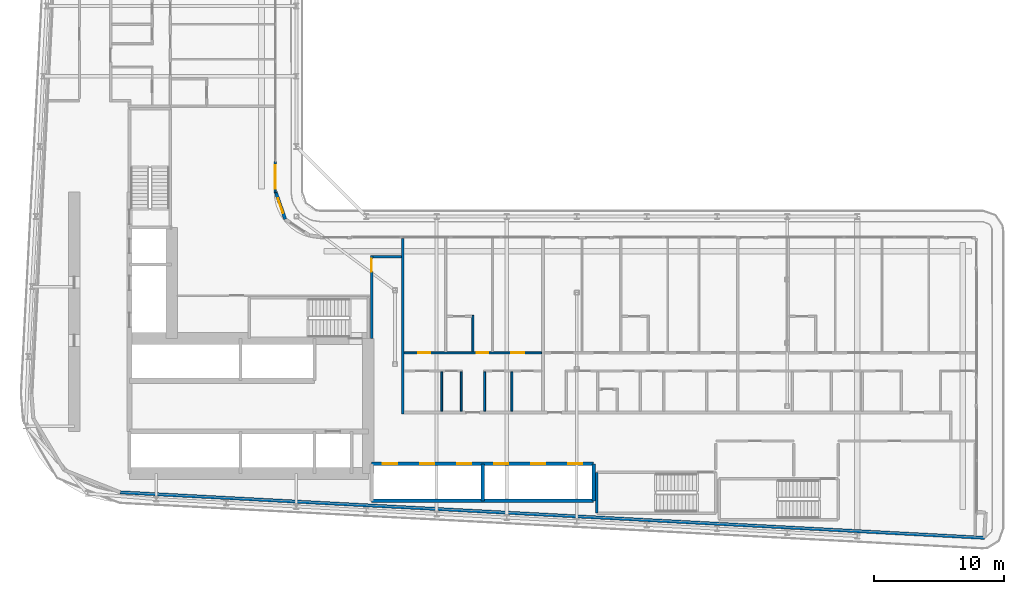
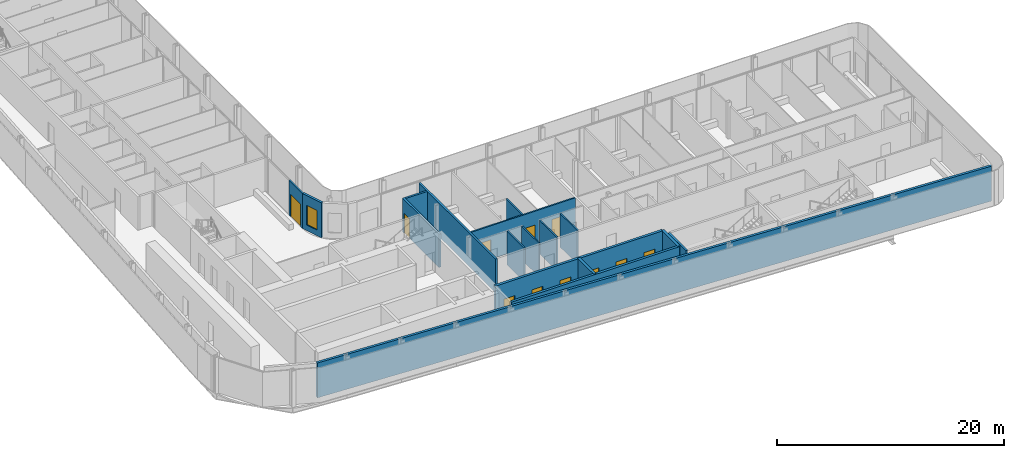
# One storey, part 15 of 29: 17 walls, 11 doors, 1 window, 12 openings.
"""IFC4 building model written with IfcOpenShell, lengths in metres."""

from ifc_helpers import new_model, si_unit, direction, frame, frame_2d, origin, place, context, subcontext, project, spatial, rectangle, extrude, source, transform, mapped, material, layer, layer_set, type_object, element, fill, save


model = new_model("IFC4")

# Units and contexts
model_context = context("Model", 3, precision=1e-05, world=origin(), true_north=direction((0.0, 1.0)))
body_context = subcontext(model_context, "Body", "Model", "MODEL_VIEW")
ifc_project = project(units=[si_unit("LENGTHUNIT", "METRE"), si_unit("AREAUNIT", "SQUARE_METRE"), si_unit("VOLUMEUNIT", "CUBIC_METRE"), si_unit("PLANEANGLEUNIT", "RADIAN"), si_unit("MASSUNIT", "GRAM", prefix="KILO")], contexts=[model_context])

# Site, building, storey
site_placement = place(None, origin())
site = spatial("IfcSite", under=ifc_project, at=site_placement, CompositionType="ELEMENT")
building_placement = place(site_placement, origin())
building = spatial("IfcBuilding", under=site, at=building_placement, Name="Kheshtan School and Residences Tower", CompositionType="ELEMENT")
storey_placement = place(building_placement, frame((0.0, 0.0, 117.5)))
storey = spatial("IfcBuildingStorey", under=building, at=storey_placement, Name="L27", CompositionType="ELEMENT", Elevation=117.5)

# Wall, opening, door
ifc_material_1 = material(Name="Gypsum board on steel studs with fire boards", Category="steel")
ifc_layer_1 = layer(ifc_material_1, 0.199951171875)
ifc_layer_set_1 = layer_set([ifc_layer_1], Name="Corridor wall 200")
wall_type_1 = type_object("IfcWallType", Name="Corridor wall 200", PredefinedType="PARTITIONING", material=ifc_layer_set_1)
wall_1_placement = place(storey_placement, frame((53.39990234375, 36.198974609375, 0.0), z_axis=(0.0, 0.0, 1.0), x_axis=(0.0, 1.0, 0.0)))
wall_1 = element("IfcWall", 1, at=wall_1_placement, inside=storey, type_object=wall_type_1, Name="Partition L27-048", PredefinedType="PARTITIONING", context=body_context, shape_type="SweptSolid", body=[
    extrude(rectangle(XDim=6.401123046875, YDim=0.199951171875, at=frame_2d((3.20068359375, 0.0))), origin(), (0.0, 0.0, 1.0), 3.60009765625),
])
opening_1_placement = place(wall_1_placement, frame((5.15087890625, 0.0, 0.0)))
opening_1 = element("IfcOpeningElement", 2, at=opening_1_placement, cuts=wall_1, Name="Opening D27-067", PredefinedType="OPENING", context=body_context, shape_type="SweptSolid", body=[
    extrude(rectangle(XDim=1.0, YDim=2.10009765625, at=frame_2d((0.5, 1.050048828125))), frame((0.0, 0.10986328125, 0.0), z_axis=(0.0, -1.0, 0.0), x_axis=(1.0, 0.0, 0.0)), (0.0, 0.0, 1.0), 0.219970703125),
])
ifc_material_2 = material(Name="Steel-framed fire-resisting door leaf", Category="steel")
door_type_1 = type_object("IfcDoorType", Name="Fire door FD60 1000 x 2100", OperationType="SINGLE_SWING_LEFT", PredefinedType="DOOR", material=ifc_material_2)
shared_shape_1 = source(origin(), body_context, "Body", "SweptSolid", [
    extrude(rectangle(XDim=1.0, YDim=2.10009765625, at=frame_2d((0.5, 1.050048828125))), frame((0.0, 0.02490234375, 0.0), z_axis=(0.0, -1.0, 0.0), x_axis=(1.0, 0.0, 0.0)), (0.0, 0.0, 1.0), 0.050048828125),
])
door_1_placement = place(opening_1_placement, origin())
door_1 = element("IfcDoor", 3, at=door_1_placement, inside=storey, type_object=door_type_1, Name="Door D27-067", OperationType="SINGLE_SWING_RIGHT", OverallHeight=2.10009765625, OverallWidth=1.0, PredefinedType="DOOR", context=body_context, shape_type="MappedRepresentation", body=[
    mapped(shared_shape_1, transform((0.0, 0.0, 0.0), x_axis=(1.0, 0.0, 0.0), y_axis=(0.0, 1.0, 0.0), z_axis=(0.0, 0.0, 1.0), scale=1.0)),
])
fill(opening_1, door_1)

# Wall
wall_2_placement = place(storey_placement, frame((53.5, 42.5, 0.0), z_axis=(0.0, 0.0, 1.0), x_axis=(1.0, 0.0, 0.0)))
element("IfcWall", 4, at=wall_2_placement, inside=storey, type_object=wall_type_1, Name="Partition L27-049", PredefinedType="PARTITIONING", context=body_context, shape_type="SweptSolid", body=[
    extrude(rectangle(XDim=2.199951171875, YDim=0.199951171875, at=frame_2d((1.10009765625, 0.0))), origin(), (0.0, 0.0, 1.0), 3.60009765625),
])

# Wall, opening, window
ifc_material_3 = material(Name="Concrete C40/50 with ceramic cladding and mineral wool insulation", Category="concrete")
ifc_layer_2 = layer(ifc_material_3, 0.25)
ifc_layer_set_2 = layer_set([ifc_layer_2], Name="External wall 250 ceramic clad")
wall_type_2 = type_object("IfcWallType", Name="External wall 250 ceramic clad", PredefinedType="SOLIDWALL", material=ifc_layer_set_2)
wall_3_placement = place(storey_placement, frame((46.01806640625, 47.470947265625, 0.0), z_axis=(0.0, 0.0, 1.0), x_axis=(0.328791208903, -0.944402637093, 0.0)))
wall_3 = element("IfcWall", 5, at=wall_3_placement, inside=storey, type_object=wall_type_2, Name="External wall L27 9", PredefinedType="SOLIDWALL", context=body_context, shape_type="SweptSolid", body=[
    extrude(rectangle(XDim=2.20458984375, YDim=0.25, at=frame_2d((1.102294921875, 0.0))), origin(), (0.0, 0.0, 1.0), 3.75),
])
opening_2_placement = place(wall_3_placement, frame((0.5029296875, 0.0, 0.60009765625)))
opening_2 = element("IfcOpeningElement", 6, at=opening_2_placement, cuts=wall_3, Name="Opening WN-E", PredefinedType="OPENING", context=body_context, shape_type="SweptSolid", body=[
    extrude(rectangle(XDim=1.199951171875, YDim=2.10009765625, at=frame_2d((0.60009765625, 1.050048828125))), frame((0.0, 0.135009765625, 0.0), z_axis=(0.0, -1.0, 0.0), x_axis=(1.0, 0.0, 0.0)), (0.0, 0.0, 1.0), 0.27001953125),
])
ifc_material_4 = material(Name="Clear low-e glass in thermally broken aluminium frame", Category="aluminium")
window_type = type_object("IfcWindowType", Name="Window WN-E", PartitioningType="SINGLE_PANEL", PredefinedType="WINDOW", material=ifc_material_4)
shared_shape_2 = source(origin(), body_context, "Body", "SweptSolid", [
    extrude(rectangle(XDim=1.199951171875, YDim=2.10009765625, at=frame_2d((0.60009765625, 1.050048828125))), frame((0.0, 0.030029296875, 0.0), z_axis=(0.0, -1.0, 0.0), x_axis=(1.0, 0.0, 0.0)), (0.0, 0.0, 1.0), 0.06005859375),
])
window_placement = place(opening_2_placement, origin())
window = element("IfcWindow", 7, at=window_placement, inside=storey, type_object=window_type, Name="Window L27 9", OverallHeight=2.10009765625, OverallWidth=1.199951171875, PartitioningType="SINGLE_PANEL", PredefinedType="WINDOW", context=body_context, shape_type="MappedRepresentation", body=[
    mapped(shared_shape_2, transform((0.0, 0.0, 0.0), x_axis=(1.0, 0.0, 0.0), y_axis=(0.0, 1.0, 0.0), z_axis=(0.0, 0.0, 1.0), scale=1.0)),
])
fill(opening_2, window)

# Wall
wall_4_placement = place(storey_placement, frame((100.5859375, 20.85009765625, 0.0), z_axis=(0.0, 0.0, 1.0), x_axis=(-0.99861746497, 0.052565755559, 0.0)))
element("IfcWall", 8, at=wall_4_placement, inside=storey, type_object=wall_type_2, Name="External wall L27 16", PredefinedType="SOLIDWALL", context=body_context, shape_type="SweptSolid", body=[
    extrude(rectangle(XDim=66.638916015625, YDim=0.25, at=frame_2d((33.3193359375, 0.0))), origin(), (0.0, 0.0, 1.0), 3.75),
])

# Wall, opening, door
ifc_material_5 = material(Name="Aluminium frame wall with insulated infill", Category="aluminium")
ifc_layer_3 = layer(ifc_material_5, 0.14990234375)
ifc_layer_set_3 = layer_set([ifc_layer_3], Name="Glazing frame wall 150")
wall_type_3 = type_object("IfcWallType", Name="Glazing frame wall 150", PredefinedType="SOLIDWALL", material=ifc_layer_set_3)
wall_5_placement = place(storey_placement, frame((45.97509765625, 49.830078125, 0.0), z_axis=(0.0, 0.0, 1.0), x_axis=(0.0, -1.0, 0.0)))
wall_5 = element("IfcWall", 9, at=wall_5_placement, inside=storey, type_object=wall_type_3, Name="Balcony door wall L27 8.5", PredefinedType="SOLIDWALL", context=body_context, shape_type="SweptSolid", body=[
    extrude(rectangle(XDim=2.400146484375, YDim=0.14990234375, at=frame_2d((1.2001953125, 0.0))), origin(), (0.0, 0.0, 1.0), 3.75),
])
opening_3_placement = place(wall_5_placement, frame((0.300048828125, 0.0, 0.0)))
opening_3 = element("IfcOpeningElement", 10, at=opening_3_placement, cuts=wall_5, Name="Opening BD", PredefinedType="OPENING", context=body_context, shape_type="SweptSolid", body=[
    extrude(rectangle(XDim=1.800048828125, YDim=2.39990234375, at=frame_2d((0.89990234375, 1.199951171875))), frame((0.0, 0.0849609375, 0.0), z_axis=(0.0, -1.0, 0.0), x_axis=(1.0, 0.0, 0.0)), (0.0, 0.0, 1.0), 0.169921875),
])
door_type_2 = type_object("IfcDoorType", Name="Balcony sliding door", OperationType="SLIDING_TO_LEFT", PredefinedType="DOOR", material=ifc_material_4)
shared_shape_3 = source(origin(), body_context, "Body", "SweptSolid", [
    extrude(rectangle(XDim=1.800048828125, YDim=2.39990234375, at=frame_2d((0.89990234375, 1.199951171875))), frame((0.0, 0.02490234375, 0.0), z_axis=(0.0, -1.0, 0.0), x_axis=(1.0, 0.0, 0.0)), (0.0, 0.0, 1.0), 0.050048828125),
])
door_2_placement = place(opening_3_placement, origin())
door_2 = element("IfcDoor", 11, at=door_2_placement, inside=storey, type_object=door_type_2, Name="Balcony door L27 8.5", OperationType="SLIDING_TO_LEFT", OverallHeight=2.39990234375, OverallWidth=1.800048828125, PredefinedType="DOOR", context=body_context, shape_type="MappedRepresentation", body=[
    mapped(shared_shape_3, transform((0.0, 0.0, 0.0), x_axis=(1.0, 0.0, 0.0), y_axis=(0.0, 1.0, 0.0), z_axis=(0.0, 0.0, 1.0), scale=1.0)),
])
fill(opening_3, door_2)

# Walls
ifc_material_6 = material(Name="Fire-board shaft wall system")
ifc_layer_4 = layer(ifc_material_6, 0.25)
ifc_layer_set_4 = layer_set([ifc_layer_4], Name="Shaft lining wall 250")
wall_type_4 = type_object("IfcWallType", Name="Shaft lining wall 250", PredefinedType="PARTITIONING", material=ifc_layer_set_4)
for number, where, z_axis, x_axis, name in (
    (12, (61.949951171875, 23.699951171875, 0.0), (0.0, 0.0, 1.0), (0.0, 1.0, 0.0), "Shaft lining wall"),
    (13, (70.5, 23.699951171875, 0.0), (0.0, 0.0, 1.0), (0.0, 1.0, 0.0), "Shaft lining wall"),
):
    element("IfcWall", number, at=place(storey_placement, frame(where, z_axis=z_axis, x_axis=x_axis)), inside=storey, type_object=wall_type_4, Name=name, PredefinedType="PARTITIONING", context=body_context, shape_type="SweptSolid", body=[
        extrude(rectangle(XDim=2.85009765625, YDim=0.25, at=frame_2d((1.425048828125, 0.0))), origin(), (0.0, 0.0, 1.0), 3.89990234375),
    ])
wall_6_placement = place(storey_placement, frame((53.39990234375, 23.699951171875, 0.0), z_axis=(0.0, 0.0, 1.0), x_axis=(1.0, 0.0, 0.0)))
element("IfcWall", 14, at=wall_6_placement, inside=storey, type_object=wall_type_4, Name="Shaft lining wall", PredefinedType="PARTITIONING", context=body_context, shape_type="SweptSolid", body=[
    extrude(rectangle(XDim=17.10009765625, YDim=0.25, at=frame_2d((8.550048828125, 0.0))), origin(), (0.0, 0.0, 1.0), 3.89990234375),
])

# Wall, openings, doors
wall_7_placement = place(storey_placement, frame((53.39990234375, 26.550048828125, 0.0), z_axis=(0.0, 0.0, 1.0), x_axis=(1.0, 0.0, 0.0)))
wall_7 = element("IfcWall", 15, at=wall_7_placement, inside=storey, type_object=wall_type_4, Name="Shaft lining wall", PredefinedType="PARTITIONING", context=body_context, shape_type="SweptSolid", body=[
    extrude(rectangle(XDim=17.10009765625, YDim=0.25, at=frame_2d((8.550048828125, 0.0))), origin(), (0.0, 0.0, 1.0), 3.89990234375),
])
opening_4_placement = place(wall_7_placement, frame((0.875, 0.0, 0.0)))
opening_4 = element("IfcOpeningElement", 16, at=opening_4_placement, cuts=wall_7, Name="Opening LD", PredefinedType="OPENING", context=body_context, shape_type="SweptSolid", body=[
    extrude(rectangle(XDim=1.10009765625, YDim=2.199951171875, at=frame_2d((0.550048828125, 1.10009765625))), frame((0.0, 0.135009765625, 0.0), z_axis=(0.0, -1.0, 0.0), x_axis=(1.0, 0.0, 0.0)), (0.0, 0.0, 1.0), 0.27001953125),
])
opening_5_placement = place(wall_7_placement, frame((3.72509765625, 0.0, 0.0)))
opening_5 = element("IfcOpeningElement", 17, at=opening_5_placement, cuts=wall_7, Name="Opening LD", PredefinedType="OPENING", context=body_context, shape_type="SweptSolid", body=[
    extrude(rectangle(XDim=1.10009765625, YDim=2.199951171875, at=frame_2d((0.550048828125, 1.10009765625))), frame((0.0, 0.135009765625, 0.0), z_axis=(0.0, -1.0, 0.0), x_axis=(1.0, 0.0, 0.0)), (0.0, 0.0, 1.0), 0.27001953125),
])
opening_6_placement = place(wall_7_placement, frame((6.574951171875, 0.0, 0.0)))
opening_6 = element("IfcOpeningElement", 18, at=opening_6_placement, cuts=wall_7, Name="Opening LD", PredefinedType="OPENING", context=body_context, shape_type="SweptSolid", body=[
    extrude(rectangle(XDim=1.10009765625, YDim=2.199951171875, at=frame_2d((0.550048828125, 1.10009765625))), frame((0.0, 0.135009765625, 0.0), z_axis=(0.0, -1.0, 0.0), x_axis=(1.0, 0.0, 0.0)), (0.0, 0.0, 1.0), 0.27001953125),
])
opening_7_placement = place(wall_7_placement, frame((9.425048828125, 0.0, 0.0)))
opening_7 = element("IfcOpeningElement", 19, at=opening_7_placement, cuts=wall_7, Name="Opening LD", PredefinedType="OPENING", context=body_context, shape_type="SweptSolid", body=[
    extrude(rectangle(XDim=1.10009765625, YDim=2.199951171875, at=frame_2d((0.550048828125, 1.10009765625))), frame((0.0, 0.135009765625, 0.0), z_axis=(0.0, -1.0, 0.0), x_axis=(1.0, 0.0, 0.0)), (0.0, 0.0, 1.0), 0.27001953125),
])
opening_8_placement = place(wall_7_placement, frame((12.27490234375, 0.0, 0.0)))
opening_8 = element("IfcOpeningElement", 20, at=opening_8_placement, cuts=wall_7, Name="Opening LD", PredefinedType="OPENING", context=body_context, shape_type="SweptSolid", body=[
    extrude(rectangle(XDim=1.10009765625, YDim=2.199951171875, at=frame_2d((0.550048828125, 1.10009765625))), frame((0.0, 0.135009765625, 0.0), z_axis=(0.0, -1.0, 0.0), x_axis=(1.0, 0.0, 0.0)), (0.0, 0.0, 1.0), 0.27001953125),
])
opening_9_placement = place(wall_7_placement, frame((15.125, 0.0, 0.0)))
opening_9 = element("IfcOpeningElement", 21, at=opening_9_placement, cuts=wall_7, Name="Opening LD", PredefinedType="OPENING", context=body_context, shape_type="SweptSolid", body=[
    extrude(rectangle(XDim=1.10009765625, YDim=2.199951171875, at=frame_2d((0.550048828125, 1.10009765625))), frame((0.0, 0.135009765625, 0.0), z_axis=(0.0, -1.0, 0.0), x_axis=(1.0, 0.0, 0.0)), (0.0, 0.0, 1.0), 0.27001953125),
])
ifc_material_7 = material(Name="Stainless steel door leaves", Category="steel")
door_type_3 = type_object("IfcDoorType", Name="Lift landing door 1100", OperationType="SLIDING_TO_LEFT", PredefinedType="DOOR", material=ifc_material_7)
shared_shape_4 = source(origin(), body_context, "Body", "SweptSolid", [
    extrude(rectangle(XDim=1.10009765625, YDim=2.199951171875, at=frame_2d((0.550048828125, 1.10009765625))), frame((0.0, 0.02490234375, 0.0), z_axis=(0.0, -1.0, 0.0), x_axis=(1.0, 0.0, 0.0)), (0.0, 0.0, 1.0), 0.050048828125),
])
door_3_placement = place(opening_4_placement, origin())
door_3 = element("IfcDoor", 22, at=door_3_placement, inside=storey, type_object=door_type_3, Name="Lift P1 landing door", OperationType="SLIDING_TO_LEFT", OverallHeight=2.199951171875, OverallWidth=1.10009765625, PredefinedType="DOOR", context=body_context, shape_type="MappedRepresentation", body=[
    mapped(shared_shape_4, transform((0.0, 0.0, 0.0), x_axis=(1.0, 0.0, 0.0), y_axis=(0.0, 1.0, 0.0), z_axis=(0.0, 0.0, 1.0), scale=1.0)),
])
fill(opening_4, door_3)
door_4_placement = place(opening_5_placement, origin())
door_4 = element("IfcDoor", 23, at=door_4_placement, inside=storey, type_object=door_type_3, Name="Lift P2 landing door", OperationType="SLIDING_TO_LEFT", OverallHeight=2.199951171875, OverallWidth=1.10009765625, PredefinedType="DOOR", context=body_context, shape_type="MappedRepresentation", body=[
    mapped(shared_shape_4, transform((0.0, 0.0, 0.0), x_axis=(1.0, 0.0, 0.0), y_axis=(0.0, 1.0, 0.0), z_axis=(0.0, 0.0, 1.0), scale=1.0)),
])
fill(opening_5, door_4)
door_5_placement = place(opening_6_placement, origin())
door_5 = element("IfcDoor", 24, at=door_5_placement, inside=storey, type_object=door_type_3, Name="Lift P3 landing door", OperationType="SLIDING_TO_LEFT", OverallHeight=2.199951171875, OverallWidth=1.10009765625, PredefinedType="DOOR", context=body_context, shape_type="MappedRepresentation", body=[
    mapped(shared_shape_4, transform((0.0, 0.0, 0.0), x_axis=(1.0, 0.0, 0.0), y_axis=(0.0, 1.0, 0.0), z_axis=(0.0, 0.0, 1.0), scale=1.0)),
])
fill(opening_6, door_5)
door_6_placement = place(opening_7_placement, origin())
door_6 = element("IfcDoor", 25, at=door_6_placement, inside=storey, type_object=door_type_3, Name="Lift P4 landing door", OperationType="SLIDING_TO_LEFT", OverallHeight=2.199951171875, OverallWidth=1.10009765625, PredefinedType="DOOR", context=body_context, shape_type="MappedRepresentation", body=[
    mapped(shared_shape_4, transform((0.0, 0.0, 0.0), x_axis=(1.0, 0.0, 0.0), y_axis=(0.0, 1.0, 0.0), z_axis=(0.0, 0.0, 1.0), scale=1.0)),
])
fill(opening_7, door_6)
door_7_placement = place(opening_8_placement, origin())
door_7 = element("IfcDoor", 26, at=door_7_placement, inside=storey, type_object=door_type_3, Name="Lift P5 landing door", OperationType="SLIDING_TO_LEFT", OverallHeight=2.199951171875, OverallWidth=1.10009765625, PredefinedType="DOOR", context=body_context, shape_type="MappedRepresentation", body=[
    mapped(shared_shape_4, transform((0.0, 0.0, 0.0), x_axis=(1.0, 0.0, 0.0), y_axis=(0.0, 1.0, 0.0), z_axis=(0.0, 0.0, 1.0), scale=1.0)),
])
fill(opening_8, door_7)
door_8_placement = place(opening_9_placement, origin())
door_8 = element("IfcDoor", 27, at=door_8_placement, inside=storey, type_object=door_type_3, Name="Lift P6 landing door", OperationType="SLIDING_TO_LEFT", OverallHeight=2.199951171875, OverallWidth=1.10009765625, PredefinedType="DOOR", context=body_context, shape_type="MappedRepresentation", body=[
    mapped(shared_shape_4, transform((0.0, 0.0, 0.0), x_axis=(1.0, 0.0, 0.0), y_axis=(0.0, 1.0, 0.0), z_axis=(0.0, 0.0, 1.0), scale=1.0)),
])
fill(opening_9, door_8)

# Walls
ifc_material_8 = material(Name="Concrete C40/50", Category="concrete")
ifc_layer_5 = layer(ifc_material_8, 0.199951171875)
ifc_layer_set_5 = layer_set([ifc_layer_5], Name="Stair enclosure wall 200 Concrete C40/50")
wall_type_5 = type_object("IfcWallType", Name="Stair enclosure wall 200 Concrete C40/50", PredefinedType="SHEAR", material=ifc_layer_set_5)
wall_8_placement = place(storey_placement, frame((70.75, 22.75, 0.0), z_axis=(0.0, 0.0, 1.0), x_axis=(0.0, 1.0, 0.0)))
element("IfcWall", 28, at=wall_8_placement, inside=storey, type_object=wall_type_5, Name="Stair enclosure wall ST5", PredefinedType="SHEAR", context=body_context, shape_type="SweptSolid", body=[
    extrude(rectangle(XDim=3.14990234375, YDim=0.199951171875, at=frame_2d((1.574951171875, 0.0))), origin(), (0.0, 0.0, 1.0), 3.89990234375),
])
ifc_material_9 = material(Name="Twin gypsum board on steel studs with mineral wool", Category="steel")
ifc_layer_6 = layer(ifc_material_9, 0.199951171875)
ifc_layer_set_6 = layer_set([ifc_layer_6], Name="Unit demising wall 200")
wall_type_6 = type_object("IfcWallType", Name="Unit demising wall 200", PredefinedType="PARTITIONING", material=ifc_layer_set_6)
wall_9_placement = place(storey_placement, frame((55.800048828125, 30.39990234375, 0.0), z_axis=(0.0, 0.0, 1.0), x_axis=(0.0, 1.0, 0.0)))
element("IfcWall", 29, at=wall_9_placement, inside=storey, type_object=wall_type_6, Name="Partition L27-050", PredefinedType="PARTITIONING", context=body_context, shape_type="SweptSolid", body=[
    extrude(rectangle(XDim=13.5, YDim=0.199951171875, at=frame_2d((6.75, 0.0))), origin(), (0.0, 0.0, 1.0), 3.60009765625),
])

# Wall, openings, doors
ifc_material_10 = material(Name="Moisture-resistant gypsum board on steel studs", Category="steel")
ifc_layer_7 = layer(ifc_material_10, 0.14990234375)
ifc_layer_set_7 = layer_set([ifc_layer_7], Name="Wet-room partition 150")
wall_type_7 = type_object("IfcWallType", Name="Wet-room partition 150", PredefinedType="PARTITIONING", material=ifc_layer_set_7)
wall_10_placement = place(storey_placement, frame((55.89990234375, 35.10009765625, 0.0), z_axis=(0.0, 0.0, 1.0), x_axis=(1.0, 0.0, 0.0)))
wall_10 = element("IfcWall", 30, at=wall_10_placement, inside=storey, type_object=wall_type_7, Name="Partition L27-053", PredefinedType="PARTITIONING", context=body_context, shape_type="SweptSolid", body=[
    extrude(rectangle(XDim=10.60009765625, YDim=0.14990234375, at=frame_2d((5.300048828125, 0.0))), origin(), (0.0, 0.0, 1.0), 3.60009765625),
])
opening_10_placement = place(wall_10_placement, frame((1.10009765625, 0.0, 0.0)))
opening_10 = element("IfcOpeningElement", 31, at=opening_10_placement, cuts=wall_10, Name="Opening D27-002", PredefinedType="OPENING", context=body_context, shape_type="SweptSolid", body=[
    extrude(rectangle(XDim=0.89990234375, YDim=2.10009765625, at=frame_2d((0.449951171875, 1.050048828125))), frame((0.0, 0.0849609375, 0.0), z_axis=(0.0, -1.0, 0.0), x_axis=(1.0, 0.0, 0.0)), (0.0, 0.0, 1.0), 0.169921875),
])
opening_11_placement = place(wall_10_placement, frame((8.25, 0.0, 0.0)))
opening_11 = element("IfcOpeningElement", 32, at=opening_11_placement, cuts=wall_10, Name="Opening D27-007", PredefinedType="OPENING", context=body_context, shape_type="SweptSolid", body=[
    extrude(rectangle(XDim=1.0, YDim=2.10009765625, at=frame_2d((0.5, 1.050048828125))), frame((0.0, 0.0849609375, 0.0), z_axis=(0.0, -1.0, 0.0), x_axis=(1.0, 0.0, 0.0)), (0.0, 0.0, 1.0), 0.169921875),
])
opening_12_placement = place(wall_10_placement, frame((5.60009765625, 0.0, 0.0)))
opening_12 = element("IfcOpeningElement", 33, at=opening_12_placement, cuts=wall_10, Name="Opening D27-008", PredefinedType="OPENING", context=body_context, shape_type="SweptSolid", body=[
    extrude(rectangle(XDim=0.89990234375, YDim=2.10009765625, at=frame_2d((0.449951171875, 1.050048828125))), frame((0.0, 0.0849609375, 0.0), z_axis=(0.0, -1.0, 0.0), x_axis=(1.0, 0.0, 0.0)), (0.0, 0.0, 1.0), 0.169921875),
])
ifc_material_11 = material(Name="Veneered timber door leaf", Category="wood")
door_type_4 = type_object("IfcDoorType", Name="Door 1000 x 2100", OperationType="SINGLE_SWING_LEFT", PredefinedType="DOOR", material=ifc_material_11)
shared_shape_5 = source(origin(), body_context, "Body", "SweptSolid", [
    extrude(rectangle(XDim=1.0, YDim=2.10009765625, at=frame_2d((0.5, 1.050048828125))), frame((0.0, 0.02490234375, 0.0), z_axis=(0.0, -1.0, 0.0), x_axis=(1.0, 0.0, 0.0)), (0.0, 0.0, 1.0), 0.050048828125),
])
door_9_placement = place(opening_11_placement, origin())
door_9 = element("IfcDoor", 34, at=door_9_placement, inside=storey, type_object=door_type_4, Name="Door D27-007", OperationType="SINGLE_SWING_LEFT", OverallHeight=2.10009765625, OverallWidth=1.0, PredefinedType="DOOR", context=body_context, shape_type="MappedRepresentation", body=[
    mapped(shared_shape_5, transform((0.0, 0.0, 0.0), x_axis=(1.0, 0.0, 0.0), y_axis=(0.0, 1.0, 0.0), z_axis=(0.0, 0.0, 1.0), scale=1.0)),
])
fill(opening_11, door_9)
door_type_5 = type_object("IfcDoorType", Name="Door 900 x 2100", OperationType="SINGLE_SWING_LEFT", PredefinedType="DOOR", material=ifc_material_11)
shared_shape_6 = source(origin(), body_context, "Body", "SweptSolid", [
    extrude(rectangle(XDim=0.89990234375, YDim=2.10009765625, at=frame_2d((0.449951171875, 1.050048828125))), frame((0.0, 0.02490234375, 0.0), z_axis=(0.0, -1.0, 0.0), x_axis=(1.0, 0.0, 0.0)), (0.0, 0.0, 1.0), 0.050048828125),
])
door_10_placement = place(opening_10_placement, origin())
door_10 = element("IfcDoor", 35, at=door_10_placement, inside=storey, type_object=door_type_5, Name="Door D27-002", OperationType="SINGLE_SWING_RIGHT", OverallHeight=2.10009765625, OverallWidth=0.89990234375, PredefinedType="DOOR", context=body_context, shape_type="MappedRepresentation", body=[
    mapped(shared_shape_6, transform((0.0, 0.0, 0.0), x_axis=(1.0, 0.0, 0.0), y_axis=(0.0, 1.0, 0.0), z_axis=(0.0, 0.0, 1.0), scale=1.0)),
])
fill(opening_10, door_10)
door_11_placement = place(opening_12_placement, origin())
door_11 = element("IfcDoor", 36, at=door_11_placement, inside=storey, type_object=door_type_5, Name="Door D27-008", OperationType="SINGLE_SWING_LEFT", OverallHeight=2.10009765625, OverallWidth=0.89990234375, PredefinedType="DOOR", context=body_context, shape_type="MappedRepresentation", body=[
    mapped(shared_shape_6, transform((0.0, 0.0, 0.0), x_axis=(1.0, 0.0, 0.0), y_axis=(0.0, 1.0, 0.0), z_axis=(0.0, 0.0, 1.0), scale=1.0)),
])
fill(opening_12, door_11)

# Walls
for number, where, z_axis, x_axis, name in (
    (37, (58.800048828125, 30.60009765625, 0.0), (0.0, 0.0, 1.0), (0.0, 1.0, 0.0), "Partition L27-054"),
    (38, (60.300048828125, 30.60009765625, 0.0), (0.0, 0.0, 1.0), (0.0, 1.0, 0.0), "Partition L27-057"),
):
    element("IfcWall", number, at=place(storey_placement, frame(where, z_axis=z_axis, x_axis=x_axis)), inside=storey, type_object=wall_type_7, Name=name, PredefinedType="PARTITIONING", context=body_context, shape_type="SweptSolid", body=[
        extrude(rectangle(XDim=3.02490234375, YDim=0.14990234375, at=frame_2d((1.512451171875, 0.0))), origin(), (0.0, 0.0, 1.0), 3.60009765625),
    ])
wall_11_placement = place(storey_placement, frame((61.199951171875, 35.175048828125, 0.0), z_axis=(0.0, 0.0, 1.0), x_axis=(0.0, 1.0, 0.0)))
element("IfcWall", 39, at=wall_11_placement, inside=storey, type_object=wall_type_7, Name="Partition L27-058", PredefinedType="PARTITIONING", context=body_context, shape_type="SweptSolid", body=[
    extrude(rectangle(XDim=2.800048828125, YDim=0.14990234375, at=frame_2d((1.39990234375, 0.0))), origin(), (0.0, 0.0, 1.0), 3.60009765625),
])
for number, where, z_axis, x_axis, name in (
    (40, (62.10009765625, 30.60009765625, 0.0), (0.0, 0.0, 1.0), (0.0, 1.0, 0.0), "Partition L27-060"),
    (41, (64.199951171875, 30.60009765625, 0.0), (0.0, 0.0, 1.0), (0.0, 1.0, 0.0), "Partition L27-062"),
):
    element("IfcWall", number, at=place(storey_placement, frame(where, z_axis=z_axis, x_axis=x_axis)), inside=storey, type_object=wall_type_7, Name=name, PredefinedType="PARTITIONING", context=body_context, shape_type="SweptSolid", body=[
        extrude(rectangle(XDim=3.02490234375, YDim=0.14990234375, at=frame_2d((1.512451171875, 0.0))), origin(), (0.0, 0.0, 1.0), 3.60009765625),
    ])

save(model, "model.ifc")
